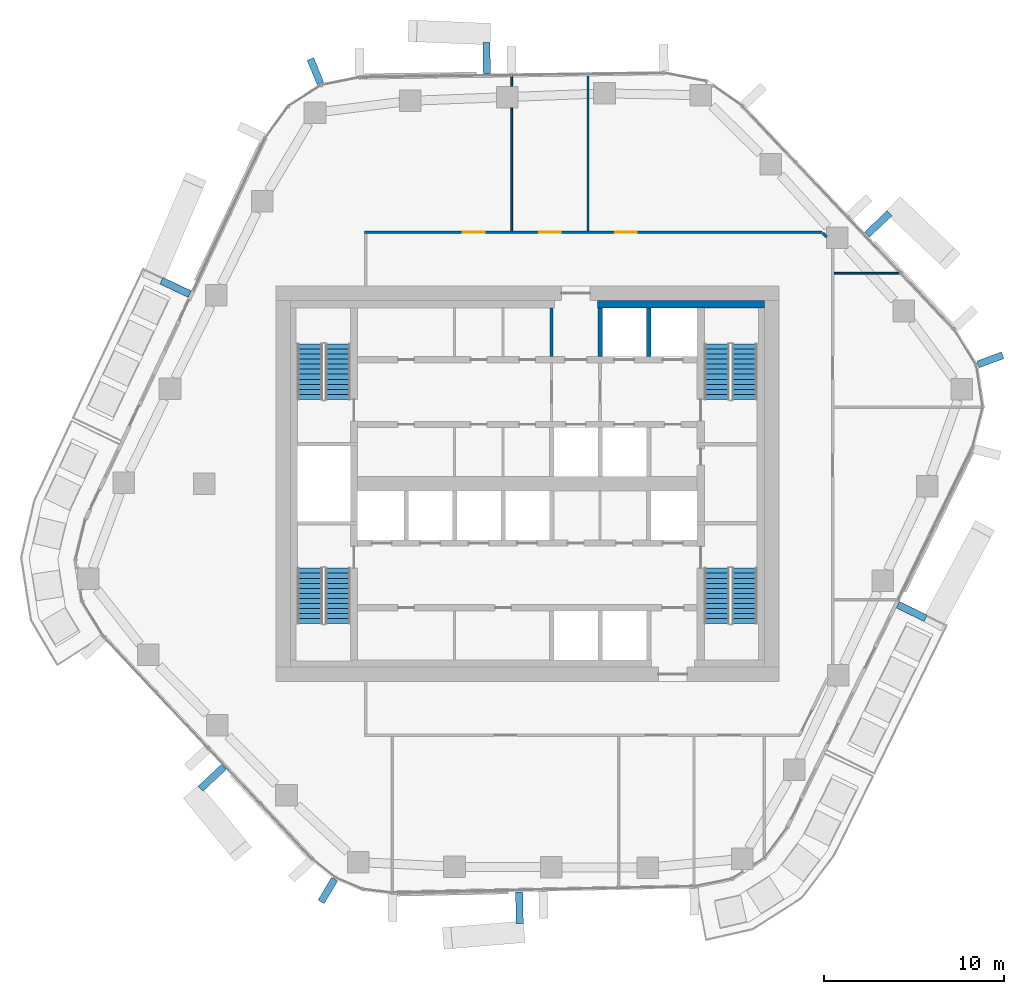
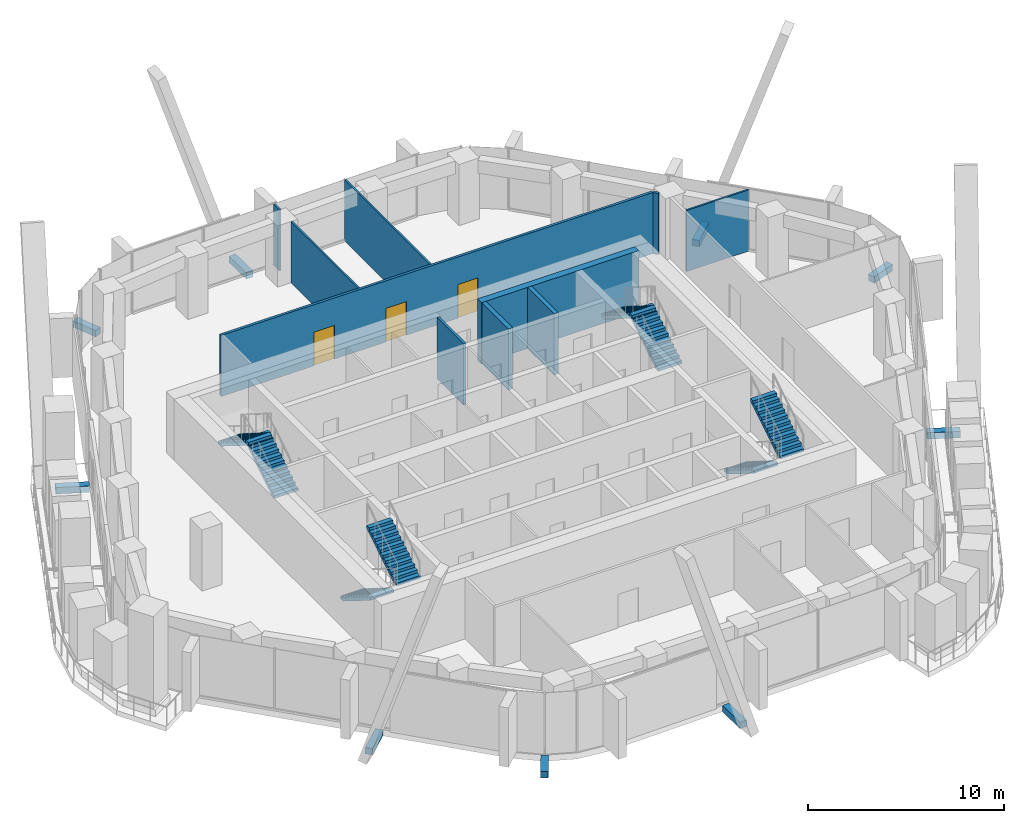
# One storey, part 13 of 18: 10 walls, 9 discrete accessories, 8 stair flights, 3 doors, 3 openings, 4 elements without a shape of their own.
"""IFC4 building model written with IfcOpenShell, lengths in metres."""

from ifc_helpers import new_model, si_unit, direction, frame, frame_2d, origin, origin_2d, place, context, subcontext, project, spatial, polyline, rectangle, outline, extrude, material, layer, layer_set, type_object, element, fill, aggregate, save


model = new_model("IFC4")

# Units and contexts
model_context = context("Model", 3, precision=1e-05, world=origin(), true_north=direction((0.0, 1.0)))
body_context = subcontext(model_context, "Body", "Model", "MODEL_VIEW")
ifc_project = project(units=[si_unit("LENGTHUNIT", "METRE"), si_unit("AREAUNIT", "SQUARE_METRE"), si_unit("VOLUMEUNIT", "CUBIC_METRE"), si_unit("PLANEANGLEUNIT", "RADIAN"), si_unit("MASSUNIT", "GRAM", prefix="KILO")], contexts=[model_context])

# Site, building, storey
site_placement = place(None, origin())
site = spatial("IfcSite", under=ifc_project, at=site_placement, CompositionType="ELEMENT")
building_placement = place(site_placement, origin())
building = spatial("IfcBuilding", under=site, at=building_placement, Name="Dongbaek Canopy Tower", CompositionType="ELEMENT")
storey_placement = place(building_placement, frame((0.0, 0.0, 167.0)))
storey = spatial("IfcBuildingStorey", under=building, at=storey_placement, Name="L36", CompositionType="ELEMENT", Elevation=167.0)

# Wall
ifc_material_1 = material(Name="Concrete C60/75", Category="concrete")
ifc_layer_1 = layer(ifc_material_1, 0.39990234375)
ifc_layer_set_1 = layer_set([ifc_layer_1], Name="Core wall lining 400 Concrete C60/75")
wall_type_1 = type_object("IfcWallType", Name="Core wall lining 400 Concrete C60/75", PredefinedType="SHEAR", material=ifc_layer_set_1)
wall_1_placement = place(storey_placement, frame((3.89990234375, 10.0, 0.0), z_axis=(0.0, 0.0, 1.0), x_axis=(1.0, 0.0, 0.0)))
element("IfcWall", 1, at=wall_1_placement, inside=storey, type_object=wall_type_1, Name="Core wall lining", PredefinedType="SHEAR", context=body_context, shape_type="SweptSolid", body=[
    extrude(rectangle(XDim=9.300048828125, YDim=0.39990234375, at=frame_2d((4.64990234375, 0.0))), origin(), (0.0, 0.0, 1.0), 3.820068359375),
])

# Wall, openings, doors
ifc_material_2 = material(Name="Gypsum board partition, steel stud, 2 x 15 mm fire board", Category="steel")
ifc_layer_2 = layer(ifc_material_2, 0.14990234375)
ifc_layer_set_2 = layer_set([ifc_layer_2], Name="Fire-rated partition 150 gypsum board")
wall_type_2 = type_object("IfcWallType", Name="Fire-rated partition 150 gypsum board", PredefinedType="PARTITIONING", material=ifc_layer_set_2)
wall_2_placement = place(storey_placement, frame((-9.074951171875, 14.0, 0.0), z_axis=(0.0, 0.0, 1.0), x_axis=(1.0, 0.0, 0.0)))
wall_2 = element("IfcWall", 2, at=wall_2_placement, inside=storey, type_object=wall_type_2, Name="Corridor partition", PredefinedType="PARTITIONING", context=body_context, shape_type="SweptSolid", body=[
    extrude(rectangle(XDim=25.489013671875, YDim=0.14990234375, at=frame_2d((12.74462890625, 0.0))), origin(), (0.0, 0.0, 1.0), 3.820068359375),
])
opening_1_placement = place(wall_2_placement, frame((13.965087890625, 0.0, 0.0)))
opening_1 = element("IfcOpeningElement", 3, at=opening_1_placement, cuts=wall_2, Name="Opening L36-D007", PredefinedType="OPENING", context=body_context, shape_type="SweptSolid", body=[
    extrude(rectangle(XDim=1.199951171875, YDim=2.10009765625, at=frame_2d((0.60009765625, 1.050048828125))), frame((0.0, 0.0849609375, 0.0), z_axis=(0.0, -1.0, 0.0), x_axis=(1.0, 0.0, 0.0)), (0.0, 0.0, 1.0), 0.169921875),
])
opening_2_placement = place(wall_2_placement, frame((9.73046875, 0.0, 0.0)))
opening_2 = element("IfcOpeningElement", 4, at=opening_2_placement, cuts=wall_2, Name="Opening L36-D008", PredefinedType="OPENING", context=body_context, shape_type="SweptSolid", body=[
    extrude(rectangle(XDim=1.199951171875, YDim=2.10009765625, at=frame_2d((0.60009765625, 1.050048828125))), frame((0.0, 0.0849609375, 0.0), z_axis=(0.0, -1.0, 0.0), x_axis=(1.0, 0.0, 0.0)), (0.0, 0.0, 1.0), 0.169921875),
])
opening_3_placement = place(wall_2_placement, frame((5.490478515625, 0.0, 0.0)))
opening_3 = element("IfcOpeningElement", 5, at=opening_3_placement, cuts=wall_2, Name="Opening L36-D009", PredefinedType="OPENING", context=body_context, shape_type="SweptSolid", body=[
    extrude(rectangle(XDim=1.199951171875, YDim=2.10009765625, at=frame_2d((0.60009765625, 1.050048828125))), frame((0.0, 0.0849609375, 0.0), z_axis=(0.0, -1.0, 0.0), x_axis=(1.0, 0.0, 0.0)), (0.0, 0.0, 1.0), 0.169921875),
])
ifc_material_3 = material(Name="Timber veneered door leaf", Category="wood")
door_type = type_object("IfcDoorType", Name="Room door 1200 x 2100", OperationType="SINGLE_SWING_LEFT", PredefinedType="DOOR", material=ifc_material_3)
door_1_placement = place(opening_1_placement, origin())
door_1 = element("IfcDoor", 6, at=door_1_placement, inside=storey, type_object=door_type, Name="Door L36-D007", OperationType="SINGLE_SWING_RIGHT", OverallHeight=2.10009765625, OverallWidth=1.199951171875, PredefinedType="DOOR", context=body_context, shape_type="SweptSolid", body=[
    extrude(rectangle(XDim=1.199951171875, YDim=2.10009765625, at=frame_2d((0.60009765625, 1.050048828125))), frame((0.0, 0.02490234375, 0.0), z_axis=(0.0, -1.0, 0.0), x_axis=(1.0, 0.0, 0.0)), (0.0, 0.0, 1.0), 0.050048828125),
])
fill(opening_1, door_1)
door_2_placement = place(opening_2_placement, origin())
door_2 = element("IfcDoor", 7, at=door_2_placement, inside=storey, type_object=door_type, Name="Door L36-D008", OperationType="SINGLE_SWING_LEFT", OverallHeight=2.10009765625, OverallWidth=1.199951171875, PredefinedType="DOOR", context=body_context, shape_type="SweptSolid", body=[
    extrude(rectangle(XDim=1.199951171875, YDim=2.10009765625, at=frame_2d((0.60009765625, 1.050048828125))), frame((0.0, 0.02490234375, 0.0), z_axis=(0.0, -1.0, 0.0), x_axis=(1.0, 0.0, 0.0)), (0.0, 0.0, 1.0), 0.050048828125),
])
fill(opening_2, door_2)
door_3_placement = place(opening_3_placement, origin())
door_3 = element("IfcDoor", 8, at=door_3_placement, inside=storey, type_object=door_type, Name="Door L36-D009", OperationType="SINGLE_SWING_RIGHT", OverallHeight=2.10009765625, OverallWidth=1.199951171875, PredefinedType="DOOR", context=body_context, shape_type="SweptSolid", body=[
    extrude(rectangle(XDim=1.199951171875, YDim=2.10009765625, at=frame_2d((0.60009765625, 1.050048828125))), frame((0.0, 0.02490234375, 0.0), z_axis=(0.0, -1.0, 0.0), x_axis=(1.0, 0.0, 0.0)), (0.0, 0.0, 1.0), 0.050048828125),
])
fill(opening_3, door_3)

# Walls
wall_3_placement = place(storey_placement, frame((16.453125, 13.959228515625, 0.0), z_axis=(0.0, 0.0, 1.0), x_axis=(0.687856738642, -0.725846476264, 0.0)))
element("IfcWall", 9, at=wall_3_placement, inside=storey, type_object=wall_type_2, Name="Corridor partition", PredefinedType="PARTITIONING", context=body_context, shape_type="SweptSolid", body=[
    extrude(rectangle(XDim=0.302001953125, YDim=0.14990234375, at=frame_2d((0.15087890625, 0.0))), origin(), (0.0, 0.0, 1.0), 3.820068359375),
])
wall_4_placement = place(storey_placement, frame((1.35009765625, 7.074951171875, 0.0), z_axis=(0.0, 0.0, 1.0), x_axis=(0.0, 1.0, 0.0)))
element("IfcWall", 10, at=wall_4_placement, inside=storey, type_object=wall_type_2, Name="Fire lobby partition", PredefinedType="PARTITIONING", context=body_context, shape_type="SweptSolid", body=[
    extrude(rectangle(XDim=2.72509765625, YDim=0.14990234375, at=frame_2d((1.362548828125, 0.0))), origin(), (0.0, 0.0, 1.0), 3.820068359375),
])
ifc_material_4 = material(Name="Concrete C40/50", Category="concrete")
ifc_layer_3 = layer(ifc_material_4, 0.25)
ifc_layer_set_3 = layer_set([ifc_layer_3], Name="Lift shaft wall 250 Concrete C40/50")
wall_type_3 = type_object("IfcWallType", Name="Lift shaft wall 250 Concrete C40/50", PredefinedType="SOLIDWALL", material=ifc_layer_set_3)
for number, where, z_axis, x_axis, name in (
    (11, (6.75, 7.074951171875, 0.0), (0.0, 0.0, 1.0), (0.0, 1.0, 0.0), "Lift shaft wall"),
    (12, (4.050048828125, 7.074951171875, 0.0), (0.0, 0.0, 1.0), (0.0, 1.0, 0.0), "Lift shaft wall"),
):
    element("IfcWall", number, at=place(storey_placement, frame(where, z_axis=z_axis, x_axis=x_axis)), inside=storey, type_object=wall_type_3, Name=name, PredefinedType="SOLIDWALL", context=body_context, shape_type="SweptSolid", body=[
        extrude(rectangle(XDim=2.72509765625, YDim=0.25, at=frame_2d((1.362548828125, 0.0))), origin(), (0.0, 0.0, 1.0), 3.820068359375),
    ])
ifc_material_5 = material(Name="Gypsum board partition, steel stud, 2 x 12.5 mm board", Category="steel")
ifc_layer_4 = layer(ifc_material_5, 0.10009765625)
ifc_layer_set_4 = layer_set([ifc_layer_4], Name="Partition 100 gypsum board")
wall_type_4 = type_object("IfcWallType", Name="Partition 100 gypsum board", PredefinedType="PARTITIONING", material=ifc_layer_set_4)
wall_5_placement = place(storey_placement, frame((17.074951171875, 11.72412109375, 0.0), z_axis=(0.0, 0.0, 1.0), x_axis=(1.0, 0.0, 0.0)))
element("IfcWall", 13, at=wall_5_placement, inside=storey, type_object=wall_type_4, Name="Partition", PredefinedType="PARTITIONING", context=body_context, shape_type="SweptSolid", body=[
    extrude(rectangle(XDim=3.701416015625, YDim=0.10009765625, at=frame_2d((1.8505859375, 0.0))), origin(), (0.0, 0.0, 1.0), 3.820068359375),
])
wall_6_placement = place(storey_placement, frame((3.375, 14.074951171875, 0.0), z_axis=(0.0, 0.0, 1.0), x_axis=(0.0, 1.0, 0.0)))
element("IfcWall", 14, at=wall_6_placement, inside=storey, type_object=wall_type_4, Name="Partition", PredefinedType="PARTITIONING", context=body_context, shape_type="SweptSolid", body=[
    extrude(rectangle(XDim=8.714599609375, YDim=0.10009765625, at=frame_2d((4.357421875, 0.0))), origin(), (0.0, 0.0, 1.0), 3.820068359375),
])
wall_7_placement = place(storey_placement, frame((-0.864990234375, 14.074951171875, 0.0), z_axis=(0.0, 0.0, 1.0), x_axis=(0.0, 1.0, 0.0)))
element("IfcWall", 15, at=wall_7_placement, inside=storey, type_object=wall_type_4, Name="Partition", PredefinedType="PARTITIONING", context=body_context, shape_type="SweptSolid", body=[
    extrude(rectangle(XDim=6.85498046875, YDim=0.10009765625, at=frame_2d((3.427490234375, 0.0))), origin(), (0.0, 0.0, 1.0), 3.820068359375),
])
wall_8_placement = place(storey_placement, frame((-0.864990234375, 22.1298828125, 0.0), z_axis=(0.0, 0.0, 1.0), x_axis=(0.0, 1.0, 0.0)))
element("IfcWall", 16, at=wall_8_placement, inside=storey, type_object=wall_type_4, Name="Partition", PredefinedType="PARTITIONING", context=body_context, shape_type="SweptSolid", body=[
    extrude(rectangle(XDim=0.59912109375, YDim=0.10009765625, at=frame_2d((0.299560546875, 0.0))), origin(), (0.0, 0.0, 1.0), 3.820068359375),
])

# Stair, stair flights
ifc_material_6 = material(Name="Concrete C40/50", Category="concrete")
stair_type = type_object("IfcStairType", Name="Core exit stair", PredefinedType="HALF_TURN_STAIR", material=ifc_material_6)
stair_1_placement = place(storey_placement, origin())
stair_1 = element("IfcStair", 17, at=stair_1_placement, inside=storey, type_object=stair_type, Name="L36 exit stair A", PredefinedType="HALF_TURN_STAIR")
ifc_material_7 = material(Name="Concrete C40/50", Category="concrete")
ifc_layer_5 = layer(ifc_material_7, 0.14990234375)
ifc_layer_set_5 = layer_set([ifc_layer_5], Name="Core stair flight 150 waist")
stair_flight_type = type_object("IfcStairFlightType", Name="Core stair flight 150 waist", PredefinedType="STRAIGHT", material=ifc_layer_set_5)
stair_flight_1_placement = place(storey_placement, frame((12.10009765625, 4.699951171875, 0.0), z_axis=(0.0, 0.0, 1.0), x_axis=(0.0, 1.0, 0.0)))
stair_flight_1 = element("IfcStairFlight", 18, at=stair_flight_1_placement, type_object=stair_flight_type, Name="ST-A flight 1", NumberOfRisers=12, NumberOfTreads=11, PredefinedType="STRAIGHT", RiserHeight=0.175, TreadLength=0.28, context=body_context, shape_type="SweptSolid", body=[
    extrude(outline(polyline([(0.0, 0.0), (0.0, 0.175048828125), (0.280029296875, 0.175048828125), (0.280029296875, 0.35009765625), (0.56005859375, 0.35009765625), (0.56005859375, 0.52490234375), (0.840087890625, 0.52490234375), (0.840087890625, 0.699951171875), (1.1201171875, 0.699951171875), (1.1201171875, 0.875), (1.39990234375, 0.875), (1.39990234375, 1.050048828125), (1.679931640625, 1.050048828125), (1.679931640625, 1.22509765625), (1.9599609375, 1.22509765625), (1.9599609375, 1.39990234375), (2.239990234375, 1.39990234375), (2.239990234375, 1.574951171875), (2.52001953125, 1.574951171875), (2.52001953125, 1.75), (2.800048828125, 1.75), (2.800048828125, 1.925048828125), (3.080078125, 1.925048828125), (3.080078125, 2.10009765625), (3.080078125, 1.748291015625), (0.28271484375, 0.0), (0.0, 0.0)])), frame((0.0, 0.699951171875, 0.0), z_axis=(0.0, -1.0, 0.0), x_axis=(1.0, 0.0, 0.0)), (0.0, 0.0, 1.0), 1.39990234375),
])
stair_flight_2_placement = place(storey_placement, frame((10.550048828125, 7.780029296875, 2.10009765625), z_axis=(0.0, 0.0, 1.0), x_axis=(0.0, -1.0, 0.0)))
stair_flight_2 = element("IfcStairFlight", 19, at=stair_flight_2_placement, type_object=stair_flight_type, Name="ST-A flight 2", NumberOfRisers=12, NumberOfTreads=11, PredefinedType="STRAIGHT", RiserHeight=0.175, TreadLength=0.28, context=body_context, shape_type="SweptSolid", body=[
    extrude(outline(polyline([(0.0, 0.0), (0.0, 0.175048828125), (0.280029296875, 0.175048828125), (0.280029296875, 0.35009765625), (0.56005859375, 0.35009765625), (0.56005859375, 0.52490234375), (0.840087890625, 0.52490234375), (0.840087890625, 0.699951171875), (1.1201171875, 0.699951171875), (1.1201171875, 0.875), (1.39990234375, 0.875), (1.39990234375, 1.050048828125), (1.679931640625, 1.050048828125), (1.679931640625, 1.22509765625), (1.9599609375, 1.22509765625), (1.9599609375, 1.39990234375), (2.239990234375, 1.39990234375), (2.239990234375, 1.574951171875), (2.52001953125, 1.574951171875), (2.52001953125, 1.75), (2.800048828125, 1.75), (2.800048828125, 1.925048828125), (3.080078125, 1.925048828125), (3.080078125, 2.10009765625), (3.080078125, 1.748291015625), (0.28271484375, 0.0), (0.0, 0.0)])), frame((0.0, 0.699951171875, 0.0), z_axis=(0.0, -1.0, 0.0), x_axis=(1.0, 0.0, 0.0)), (0.0, 0.0, 1.0), 1.39990234375),
])
aggregate(stair_1, [stair_flight_1, stair_flight_2])

stair_2_placement = place(storey_placement, origin())
stair_2 = element("IfcStair", 20, at=stair_2_placement, inside=storey, type_object=stair_type, Name="L36 exit stair C", PredefinedType="HALF_TURN_STAIR")
stair_flight_3_placement = place(storey_placement, frame((-10.550048828125, 4.699951171875, 0.0), z_axis=(0.0, 0.0, 1.0), x_axis=(0.0, 1.0, 0.0)))
stair_flight_3 = element("IfcStairFlight", 21, at=stair_flight_3_placement, type_object=stair_flight_type, Name="ST-C flight 1", NumberOfRisers=12, NumberOfTreads=11, PredefinedType="STRAIGHT", RiserHeight=0.175, TreadLength=0.28, context=body_context, shape_type="SweptSolid", body=[
    extrude(outline(polyline([(0.0, 0.0), (0.0, 0.175048828125), (0.280029296875, 0.175048828125), (0.280029296875, 0.35009765625), (0.56005859375, 0.35009765625), (0.56005859375, 0.52490234375), (0.840087890625, 0.52490234375), (0.840087890625, 0.699951171875), (1.1201171875, 0.699951171875), (1.1201171875, 0.875), (1.39990234375, 0.875), (1.39990234375, 1.050048828125), (1.679931640625, 1.050048828125), (1.679931640625, 1.22509765625), (1.9599609375, 1.22509765625), (1.9599609375, 1.39990234375), (2.239990234375, 1.39990234375), (2.239990234375, 1.574951171875), (2.52001953125, 1.574951171875), (2.52001953125, 1.75), (2.800048828125, 1.75), (2.800048828125, 1.925048828125), (3.080078125, 1.925048828125), (3.080078125, 2.10009765625), (3.080078125, 1.748291015625), (0.28271484375, 0.0), (0.0, 0.0)])), frame((0.0, 0.699951171875, 0.0), z_axis=(0.0, -1.0, 0.0), x_axis=(1.0, 0.0, 0.0)), (0.0, 0.0, 1.0), 1.39990234375),
])
stair_flight_4_placement = place(storey_placement, frame((-12.10009765625, 7.780029296875, 2.10009765625), z_axis=(0.0, 0.0, 1.0), x_axis=(0.0, -1.0, 0.0)))
stair_flight_4 = element("IfcStairFlight", 22, at=stair_flight_4_placement, type_object=stair_flight_type, Name="ST-C flight 2", NumberOfRisers=12, NumberOfTreads=11, PredefinedType="STRAIGHT", RiserHeight=0.175, TreadLength=0.28, context=body_context, shape_type="SweptSolid", body=[
    extrude(outline(polyline([(0.0, 0.0), (0.0, 0.175048828125), (0.280029296875, 0.175048828125), (0.280029296875, 0.35009765625), (0.56005859375, 0.35009765625), (0.56005859375, 0.52490234375), (0.840087890625, 0.52490234375), (0.840087890625, 0.699951171875), (1.1201171875, 0.699951171875), (1.1201171875, 0.875), (1.39990234375, 0.875), (1.39990234375, 1.050048828125), (1.679931640625, 1.050048828125), (1.679931640625, 1.22509765625), (1.9599609375, 1.22509765625), (1.9599609375, 1.39990234375), (2.239990234375, 1.39990234375), (2.239990234375, 1.574951171875), (2.52001953125, 1.574951171875), (2.52001953125, 1.75), (2.800048828125, 1.75), (2.800048828125, 1.925048828125), (3.080078125, 1.925048828125), (3.080078125, 2.10009765625), (3.080078125, 1.748291015625), (0.28271484375, 0.0), (0.0, 0.0)])), frame((0.0, 0.699951171875, 0.0), z_axis=(0.0, -1.0, 0.0), x_axis=(1.0, 0.0, 0.0)), (0.0, 0.0, 1.0), 1.39990234375),
])
aggregate(stair_2, [stair_flight_3, stair_flight_4])

stair_3_placement = place(storey_placement, origin())
stair_3 = element("IfcStair", 23, at=stair_3_placement, inside=storey, type_object=stair_type, Name="L36 exit stair B", PredefinedType="HALF_TURN_STAIR")
stair_flight_5_placement = place(storey_placement, frame((10.550048828125, -4.699951171875, 0.0), z_axis=(0.0, 0.0, 1.0), x_axis=(0.0, -1.0, 0.0)))
stair_flight_5 = element("IfcStairFlight", 24, at=stair_flight_5_placement, type_object=stair_flight_type, Name="ST-B flight 1", NumberOfRisers=12, NumberOfTreads=11, PredefinedType="STRAIGHT", RiserHeight=0.175, TreadLength=0.28, context=body_context, shape_type="SweptSolid", body=[
    extrude(outline(polyline([(0.0, 0.0), (0.0, 0.175048828125), (0.280029296875, 0.175048828125), (0.280029296875, 0.35009765625), (0.56005859375, 0.35009765625), (0.56005859375, 0.52490234375), (0.840087890625, 0.52490234375), (0.840087890625, 0.699951171875), (1.1201171875, 0.699951171875), (1.1201171875, 0.875), (1.39990234375, 0.875), (1.39990234375, 1.050048828125), (1.679931640625, 1.050048828125), (1.679931640625, 1.22509765625), (1.9599609375, 1.22509765625), (1.9599609375, 1.39990234375), (2.239990234375, 1.39990234375), (2.239990234375, 1.574951171875), (2.52001953125, 1.574951171875), (2.52001953125, 1.75), (2.800048828125, 1.75), (2.800048828125, 1.925048828125), (3.080078125, 1.925048828125), (3.080078125, 2.10009765625), (3.080078125, 1.748291015625), (0.28271484375, 0.0), (0.0, 0.0)])), frame((0.0, 0.699951171875, 0.0), z_axis=(0.0, -1.0, 0.0), x_axis=(1.0, 0.0, 0.0)), (0.0, 0.0, 1.0), 1.39990234375),
])
stair_flight_6_placement = place(storey_placement, frame((12.10009765625, -7.780029296875, 2.10009765625), z_axis=(0.0, 0.0, 1.0), x_axis=(0.0, 1.0, 0.0)))
stair_flight_6 = element("IfcStairFlight", 25, at=stair_flight_6_placement, type_object=stair_flight_type, Name="ST-B flight 2", NumberOfRisers=12, NumberOfTreads=11, PredefinedType="STRAIGHT", RiserHeight=0.175, TreadLength=0.28, context=body_context, shape_type="SweptSolid", body=[
    extrude(outline(polyline([(0.0, 0.0), (0.0, 0.175048828125), (0.280029296875, 0.175048828125), (0.280029296875, 0.35009765625), (0.56005859375, 0.35009765625), (0.56005859375, 0.52490234375), (0.840087890625, 0.52490234375), (0.840087890625, 0.699951171875), (1.1201171875, 0.699951171875), (1.1201171875, 0.875), (1.39990234375, 0.875), (1.39990234375, 1.050048828125), (1.679931640625, 1.050048828125), (1.679931640625, 1.22509765625), (1.9599609375, 1.22509765625), (1.9599609375, 1.39990234375), (2.239990234375, 1.39990234375), (2.239990234375, 1.574951171875), (2.52001953125, 1.574951171875), (2.52001953125, 1.75), (2.800048828125, 1.75), (2.800048828125, 1.925048828125), (3.080078125, 1.925048828125), (3.080078125, 2.10009765625), (3.080078125, 1.748291015625), (0.28271484375, 0.0), (0.0, 0.0)])), frame((0.0, 0.699951171875, 0.0), z_axis=(0.0, -1.0, 0.0), x_axis=(1.0, 0.0, 0.0)), (0.0, 0.0, 1.0), 1.39990234375),
])
aggregate(stair_3, [stair_flight_5, stair_flight_6])

stair_4_placement = place(storey_placement, origin())
stair_4 = element("IfcStair", 26, at=stair_4_placement, inside=storey, type_object=stair_type, Name="L36 exit stair D", PredefinedType="HALF_TURN_STAIR")
stair_flight_7_placement = place(storey_placement, frame((-12.10009765625, -4.699951171875, 0.0), z_axis=(0.0, 0.0, 1.0), x_axis=(0.0, -1.0, 0.0)))
stair_flight_7 = element("IfcStairFlight", 27, at=stair_flight_7_placement, type_object=stair_flight_type, Name="ST-D flight 1", NumberOfRisers=12, NumberOfTreads=11, PredefinedType="STRAIGHT", RiserHeight=0.175, TreadLength=0.28, context=body_context, shape_type="SweptSolid", body=[
    extrude(outline(polyline([(0.0, 0.0), (0.0, 0.175048828125), (0.280029296875, 0.175048828125), (0.280029296875, 0.35009765625), (0.56005859375, 0.35009765625), (0.56005859375, 0.52490234375), (0.840087890625, 0.52490234375), (0.840087890625, 0.699951171875), (1.1201171875, 0.699951171875), (1.1201171875, 0.875), (1.39990234375, 0.875), (1.39990234375, 1.050048828125), (1.679931640625, 1.050048828125), (1.679931640625, 1.22509765625), (1.9599609375, 1.22509765625), (1.9599609375, 1.39990234375), (2.239990234375, 1.39990234375), (2.239990234375, 1.574951171875), (2.52001953125, 1.574951171875), (2.52001953125, 1.75), (2.800048828125, 1.75), (2.800048828125, 1.925048828125), (3.080078125, 1.925048828125), (3.080078125, 2.10009765625), (3.080078125, 1.748291015625), (0.28271484375, 0.0), (0.0, 0.0)])), frame((0.0, 0.699951171875, 0.0), z_axis=(0.0, -1.0, 0.0), x_axis=(1.0, 0.0, 0.0)), (0.0, 0.0, 1.0), 1.39990234375),
])
stair_flight_8_placement = place(storey_placement, frame((-10.550048828125, -7.780029296875, 2.10009765625), z_axis=(0.0, 0.0, 1.0), x_axis=(0.0, 1.0, 0.0)))
stair_flight_8 = element("IfcStairFlight", 28, at=stair_flight_8_placement, type_object=stair_flight_type, Name="ST-D flight 2", NumberOfRisers=12, NumberOfTreads=11, PredefinedType="STRAIGHT", RiserHeight=0.175, TreadLength=0.28, context=body_context, shape_type="SweptSolid", body=[
    extrude(outline(polyline([(0.0, 0.0), (0.0, 0.175048828125), (0.280029296875, 0.175048828125), (0.280029296875, 0.35009765625), (0.56005859375, 0.35009765625), (0.56005859375, 0.52490234375), (0.840087890625, 0.52490234375), (0.840087890625, 0.699951171875), (1.1201171875, 0.699951171875), (1.1201171875, 0.875), (1.39990234375, 0.875), (1.39990234375, 1.050048828125), (1.679931640625, 1.050048828125), (1.679931640625, 1.22509765625), (1.9599609375, 1.22509765625), (1.9599609375, 1.39990234375), (2.239990234375, 1.39990234375), (2.239990234375, 1.574951171875), (2.52001953125, 1.574951171875), (2.52001953125, 1.75), (2.800048828125, 1.75), (2.800048828125, 1.925048828125), (3.080078125, 1.925048828125), (3.080078125, 2.10009765625), (3.080078125, 1.748291015625), (0.28271484375, 0.0), (0.0, 0.0)])), frame((0.0, 0.699951171875, 0.0), z_axis=(0.0, -1.0, 0.0), x_axis=(1.0, 0.0, 0.0)), (0.0, 0.0, 1.0), 1.39990234375),
])
aggregate(stair_4, [stair_flight_7, stair_flight_8])

# Discrete accessories
ifc_material_8 = material(Name="Galvanised steel S355 bracket", Category="steel")
discrete_accessory_type = type_object("IfcDiscreteAccessoryType", Name="Crease fin bracket BR3 400", PredefinedType="BRACKET", material=ifc_material_8)
discrete_accessory_1_placement = place(storey_placement, frame((21.401611328125, -7.110595703125, -0.389892578125), z_axis=(0.0, 0.0, 1.0), x_axis=(0.89865092436, -0.438664468754, 0.0)))
element("IfcDiscreteAccessory", 29, at=discrete_accessory_1_placement, inside=storey, type_object=discrete_accessory_type, Name="Crease fin bracket L36 F5", PredefinedType="BRACKET", context=body_context, shape_type="SweptSolid", body=[
    extrude(rectangle(XDim=1.724853515625, YDim=0.39990234375, at=origin_2d()), origin(), (0.0, 0.0, 1.0), 0.39990234375),
])
discrete_accessory_2_placement = place(storey_placement, frame((19.533447265625, 14.466064453125, -0.389892578125), z_axis=(0.0, 0.0, 1.0), x_axis=(0.725669849867, 0.688043072048, 0.0)))
element("IfcDiscreteAccessory", 30, at=discrete_accessory_2_placement, inside=storey, type_object=discrete_accessory_type, Name="Crease fin bracket L36 F0", PredefinedType="BRACKET", context=body_context, shape_type="SweptSolid", body=[
    extrude(rectangle(XDim=1.728759765625, YDim=0.39990234375, at=origin_2d()), origin(), (0.0, 0.0, 1.0), 0.39990234375),
])
discrete_accessory_3_placement = place(storey_placement, frame((-2.265625, 23.6982421875, -0.389892578125), z_axis=(0.0, 0.0, 1.0), x_axis=(-0.014278053439, 0.999898063399, 0.0)))
element("IfcDiscreteAccessory", 31, at=discrete_accessory_3_placement, inside=storey, type_object=discrete_accessory_type, Name="Crease fin bracket L36 F1", PredefinedType="BRACKET", context=body_context, shape_type="SweptSolid", body=[
    extrude(rectangle(XDim=1.73828125, YDim=0.39990234375, at=origin_2d()), origin(), (0.0, 0.0, 1.0), 0.39990234375),
])
discrete_accessory_4_placement = place(storey_placement, frame((-19.585693359375, 10.930419921875, -0.389892578125), z_axis=(0.0, 0.0, 1.0), x_axis=(-0.904625564373, 0.426207212847, 0.0)))
element("IfcDiscreteAccessory", 32, at=discrete_accessory_4_placement, inside=storey, type_object=discrete_accessory_type, Name="Crease fin bracket L36 F2", PredefinedType="BRACKET", context=body_context, shape_type="SweptSolid", body=[
    extrude(rectangle(XDim=1.739501953125, YDim=0.39990234375, at=origin_2d()), origin(), (0.0, 0.0, 1.0), 0.39990234375),
])
discrete_accessory_5_placement = place(storey_placement, frame((-17.55078125, -16.3740234375, -0.389892578125), z_axis=(0.0, 0.0, 1.0), x_axis=(-0.729649279829, -0.683821561846, 0.0)))
element("IfcDiscreteAccessory", 33, at=discrete_accessory_5_placement, inside=storey, type_object=discrete_accessory_type, Name="Crease fin bracket L36 F3", PredefinedType="BRACKET", context=body_context, shape_type="SweptSolid", body=[
    extrude(rectangle(XDim=1.771240234375, YDim=0.39990234375, at=origin_2d()), origin(), (0.0, 0.0, 1.0), 0.39990234375),
])
discrete_accessory_6_placement = place(storey_placement, frame((-0.439697265625, -23.60009765625, -0.389892578125), z_axis=(0.0, 0.0, 1.0), x_axis=(0.020514906096, -0.999789547169, 0.0)))
element("IfcDiscreteAccessory", 34, at=discrete_accessory_6_placement, inside=storey, type_object=discrete_accessory_type, Name="Crease fin bracket L36 F4", PredefinedType="BRACKET", context=body_context, shape_type="SweptSolid", body=[
    extrude(rectangle(XDim=1.76416015625, YDim=0.39990234375, at=origin_2d()), origin(), (0.0, 0.0, 1.0), 0.39990234375),
])
for number, where, z_axis, x_axis, name in (
    (35, (25.77978515625, 6.90087890625, -0.389892578125), (0.0, 0.0, 1.0), (0.937824127945, 0.347110796497, 0.0), "Corner fin bracket L36 K0"),
    (36, (-11.797607421875, 22.967041015625, -0.389892578125), (0.0, 0.0, 1.0), (-0.376811193994, 0.926290086356, 0.0), "Corner fin bracket L36 K2"),
    (37, (-11.107421875, -22.64697265625, -0.389892578125), (0.0, 0.0, 1.0), (-0.512733815426, -0.858547630897, 0.0), "Corner fin bracket L36 K4"),
):
    element("IfcDiscreteAccessory", number, at=place(storey_placement, frame(where, z_axis=z_axis, x_axis=x_axis)), inside=storey, type_object=discrete_accessory_type, Name=name, PredefinedType="BRACKET", context=body_context, shape_type="SweptSolid", body=[
        extrude(rectangle(XDim=1.469970703125, YDim=0.39990234375, at=origin_2d()), origin(), (0.0, 0.0, 1.0), 0.39990234375),
    ])

save(model, "model.ifc")
